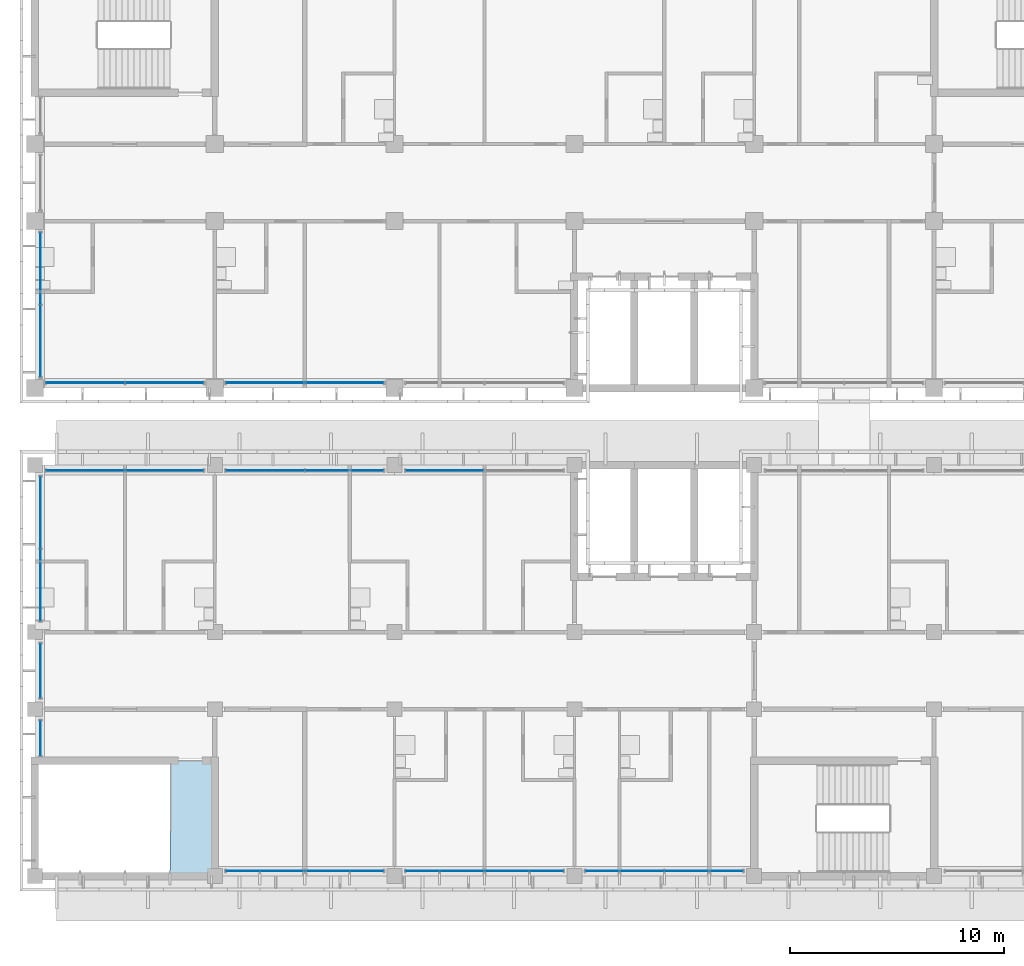
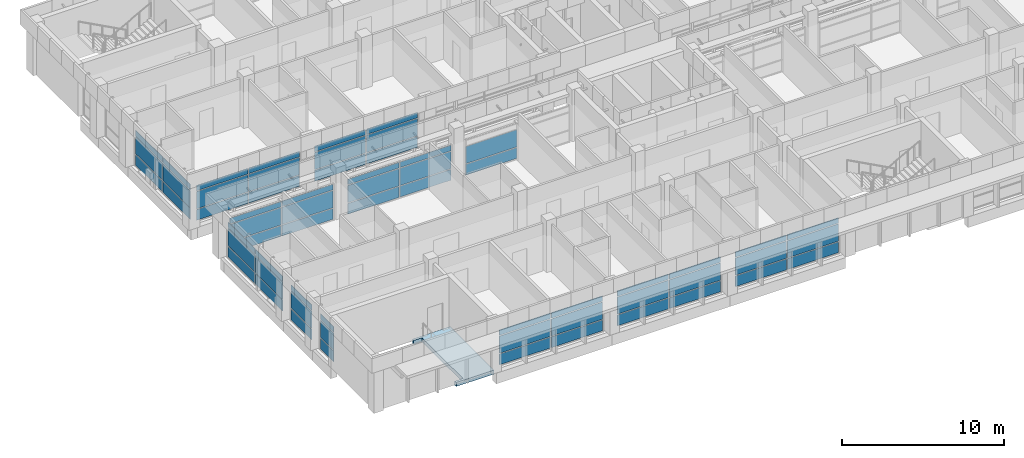
# One storey, part 20 of 71: 62 plates, 1 slab, 12 elements without a shape of their own.
"""IFC4 building model written with IfcOpenShell, lengths in metres."""

from ifc_helpers import new_model, si_unit, direction, frame, origin, origin_2d, place, context, subcontext, project, spatial, polyline, rectangle, outline, extrude, material, layer, layer_set, type_object, element, aggregate, save


model = new_model("IFC4")

# Units and contexts
model_context = context("Model", 3, precision=1e-05, world=origin(), true_north=direction((0.0, 1.0)))
body_context = subcontext(model_context, "Body", "Model", "MODEL_VIEW")
ifc_project = project(units=[si_unit("LENGTHUNIT", "METRE"), si_unit("AREAUNIT", "SQUARE_METRE"), si_unit("VOLUMEUNIT", "CUBIC_METRE"), si_unit("PLANEANGLEUNIT", "RADIAN"), si_unit("MASSUNIT", "GRAM", prefix="KILO")], contexts=[model_context])

# Site, building, storey
site_placement = place(None, origin())
site = spatial("IfcSite", under=ifc_project, at=site_placement, CompositionType="ELEMENT")
building_placement = place(site_placement, origin())
building = spatial("IfcBuilding", under=site, at=building_placement, Name="Bougainvillea Quay General Hospital", CompositionType="ELEMENT")
storey_placement = place(building_placement, frame((0.0, 0.0, 24.89990234375)))
storey = spatial("IfcBuildingStorey", under=building, at=storey_placement, Name="L05", CompositionType="ELEMENT", Elevation=24.89990234375)

# Curtain wall, plates
ifc_material_1 = material(Name="Aluminium curtain wall system, powder-coated glazed", Category="aluminium")
curtain_wall_type_1 = type_object("IfcCurtainWallType", Name="Unitised curtain wall CW-3430", PredefinedType="NOTDEFINED", material=ifc_material_1)
curtain_wall_1_placement = place(storey_placement, origin())
curtain_wall_1 = element("IfcCurtainWall", 1, at=curtain_wall_1_placement, inside=storey, type_object=curtain_wall_type_1, Name="CW-4200 02", PredefinedType="NOTDEFINED")
ifc_material_2 = material(Name="Insulated aluminium spandrel panel, white", Category="aluminium")
ifc_layer_1 = layer(ifc_material_2, 0.028076171875)
ifc_layer_set_1 = layer_set([ifc_layer_1], Name="Insulated aluminium spandrel panel, white")
plate_type_1 = type_object("IfcPlateType", Name="Insulated spandrel panel white 28", PredefinedType="CURTAIN_PANEL", material=ifc_layer_set_1)
plate_1_placement = place(storey_placement, frame((42.25, 146.0, 0.06005859375), z_axis=(0.0, 0.0, 1.0), x_axis=(0.0, -1.0, 0.0)))
plate_1 = element("IfcPlate", 2, at=plate_1_placement, type_object=plate_type_1, Name="CW-4200 spandrel panel 1.1", PredefinedType="CURTAIN_PANEL", context=body_context, shape_type="SweptSolid", body=[
    extrude(rectangle(XDim=3.340087890625, YDim=0.028076171875, at=origin_2d()), origin(), (0.0, 0.0, 1.0), 0.81005859375),
])
plate_2_placement = place(storey_placement, frame((42.25, 146.0, 2.2802734375), z_axis=(0.0, 0.0, 1.0), x_axis=(0.0, -1.0, 0.0)))
plate_2 = element("IfcPlate", 3, at=plate_2_placement, type_object=plate_type_1, Name="CW-4200 spandrel panel 1.3", PredefinedType="CURTAIN_PANEL", context=body_context, shape_type="SweptSolid", body=[
    extrude(rectangle(XDim=3.340087890625, YDim=0.028076171875, at=origin_2d()), origin(), (0.0, 0.0, 1.0), 0.409912109375),
])
plate_3_placement = place(storey_placement, frame((42.25, 142.60009765625, 0.06005859375), z_axis=(0.0, 0.0, 1.0), x_axis=(0.0, -1.0, 0.0)))
plate_3 = element("IfcPlate", 4, at=plate_3_placement, type_object=plate_type_1, Name="CW-4200 spandrel panel 2.1", PredefinedType="CURTAIN_PANEL", context=body_context, shape_type="SweptSolid", body=[
    extrude(rectangle(XDim=3.340087890625, YDim=0.028076171875, at=origin_2d()), origin(), (0.0, 0.0, 1.0), 0.81005859375),
])
plate_4_placement = place(storey_placement, frame((42.25, 142.60009765625, 2.2802734375), z_axis=(0.0, 0.0, 1.0), x_axis=(0.0, -1.0, 0.0)))
plate_4 = element("IfcPlate", 5, at=plate_4_placement, type_object=plate_type_1, Name="CW-4200 spandrel panel 2.3", PredefinedType="CURTAIN_PANEL", context=body_context, shape_type="SweptSolid", body=[
    extrude(rectangle(XDim=3.340087890625, YDim=0.028076171875, at=origin_2d()), origin(), (0.0, 0.0, 1.0), 0.409912109375),
])

curtain_wall_type_2 = type_object("IfcCurtainWallType", Name="Unitised curtain wall CW-3730", PredefinedType="NOTDEFINED", material=ifc_material_1)
curtain_wall_2_placement = place(storey_placement, origin())
curtain_wall_2 = element("IfcCurtainWall", 6, at=curtain_wall_2_placement, inside=storey, type_object=curtain_wall_type_2, Name="CW-4200 00", PredefinedType="NOTDEFINED")
plate_5_placement = place(storey_placement, frame((44.35009765625, 140.64990234375, 0.06005859375), z_axis=(0.0, 0.0, 1.0), x_axis=(1.0, 0.0, 0.0)))
plate_5 = element("IfcPlate", 7, at=plate_5_placement, type_object=plate_type_1, Name="CW-4200 spandrel panel 1.1", PredefinedType="CURTAIN_PANEL", context=body_context, shape_type="SweptSolid", body=[
    extrude(rectangle(XDim=3.639892578125, YDim=0.028076171875, at=origin_2d()), origin(), (0.0, 0.0, 1.0), 0.81005859375),
])
plate_6_placement = place(storey_placement, frame((44.35009765625, 140.64990234375, 2.2802734375), z_axis=(0.0, 0.0, 1.0), x_axis=(1.0, 0.0, 0.0)))
plate_6 = element("IfcPlate", 8, at=plate_6_placement, type_object=plate_type_1, Name="CW-4200 spandrel panel 1.3", PredefinedType="CURTAIN_PANEL", context=body_context, shape_type="SweptSolid", body=[
    extrude(rectangle(XDim=3.639892578125, YDim=0.028076171875, at=origin_2d()), origin(), (0.0, 0.0, 1.0), 0.409912109375),
])
plate_7_placement = place(storey_placement, frame((48.050048828125, 140.64990234375, 0.06005859375), z_axis=(0.0, 0.0, 1.0), x_axis=(1.0, 0.0, 0.0)))
plate_7 = element("IfcPlate", 9, at=plate_7_placement, type_object=plate_type_1, Name="CW-4200 spandrel panel 2.1", PredefinedType="CURTAIN_PANEL", context=body_context, shape_type="SweptSolid", body=[
    extrude(rectangle(XDim=3.639892578125, YDim=0.028076171875, at=origin_2d()), origin(), (0.0, 0.0, 1.0), 0.81005859375),
])
plate_8_placement = place(storey_placement, frame((48.050048828125, 140.64990234375, 2.2802734375), z_axis=(0.0, 0.0, 1.0), x_axis=(1.0, 0.0, 0.0)))
plate_8 = element("IfcPlate", 10, at=plate_8_placement, type_object=plate_type_1, Name="CW-4200 spandrel panel 2.3", PredefinedType="CURTAIN_PANEL", context=body_context, shape_type="SweptSolid", body=[
    extrude(rectangle(XDim=3.639892578125, YDim=0.028076171875, at=origin_2d()), origin(), (0.0, 0.0, 1.0), 0.409912109375),
])

curtain_wall_3_placement = place(storey_placement, origin())
curtain_wall_3 = element("IfcCurtainWall", 11, at=curtain_wall_3_placement, inside=storey, type_object=curtain_wall_type_2, Name="CW-4200 01", PredefinedType="NOTDEFINED")
plate_9_placement = place(storey_placement, frame((52.75, 140.64990234375, 0.06005859375), z_axis=(0.0, 0.0, 1.0), x_axis=(1.0, 0.0, 0.0)))
plate_9 = element("IfcPlate", 12, at=plate_9_placement, type_object=plate_type_1, Name="CW-4200 spandrel panel 1.1", PredefinedType="CURTAIN_PANEL", context=body_context, shape_type="SweptSolid", body=[
    extrude(rectangle(XDim=3.639892578125, YDim=0.028076171875, at=origin_2d()), origin(), (0.0, 0.0, 1.0), 0.81005859375),
])
plate_10_placement = place(storey_placement, frame((52.75, 140.64990234375, 2.2802734375), z_axis=(0.0, 0.0, 1.0), x_axis=(1.0, 0.0, 0.0)))
plate_10 = element("IfcPlate", 13, at=plate_10_placement, type_object=plate_type_1, Name="CW-4200 spandrel panel 1.3", PredefinedType="CURTAIN_PANEL", context=body_context, shape_type="SweptSolid", body=[
    extrude(rectangle(XDim=3.639892578125, YDim=0.028076171875, at=origin_2d()), origin(), (0.0, 0.0, 1.0), 0.409912109375),
])
plate_11_placement = place(storey_placement, frame((56.449951171875, 140.64990234375, 0.06005859375), z_axis=(0.0, 0.0, 1.0), x_axis=(1.0, 0.0, 0.0)))
plate_11 = element("IfcPlate", 14, at=plate_11_placement, type_object=plate_type_1, Name="CW-4200 spandrel panel 2.1", PredefinedType="CURTAIN_PANEL", context=body_context, shape_type="SweptSolid", body=[
    extrude(rectangle(XDim=3.639892578125, YDim=0.028076171875, at=origin_2d()), origin(), (0.0, 0.0, 1.0), 0.81005859375),
])
plate_12_placement = place(storey_placement, frame((56.449951171875, 140.64990234375, 2.2802734375), z_axis=(0.0, 0.0, 1.0), x_axis=(1.0, 0.0, 0.0)))
plate_12 = element("IfcPlate", 15, at=plate_12_placement, type_object=plate_type_1, Name="CW-4200 spandrel panel 2.3", PredefinedType="CURTAIN_PANEL", context=body_context, shape_type="SweptSolid", body=[
    extrude(rectangle(XDim=3.639892578125, YDim=0.028076171875, at=origin_2d()), origin(), (0.0, 0.0, 1.0), 0.409912109375),
])

curtain_wall_4_placement = place(storey_placement, origin())
curtain_wall_4 = element("IfcCurtainWall", 16, at=curtain_wall_4_placement, inside=storey, type_object=curtain_wall_type_1, Name="CW-4200 00", PredefinedType="NOTDEFINED")
plate_13_placement = place(storey_placement, frame((42.25, 134.60009765625, 0.06005859375), z_axis=(0.0, 0.0, 1.0), x_axis=(0.0, -1.0, 0.0)))
plate_13 = element("IfcPlate", 17, at=plate_13_placement, type_object=plate_type_1, Name="CW-4200 spandrel panel 1.1", PredefinedType="CURTAIN_PANEL", context=body_context, shape_type="SweptSolid", body=[
    extrude(rectangle(XDim=3.340087890625, YDim=0.028076171875, at=origin_2d()), origin(), (0.0, 0.0, 1.0), 0.81005859375),
])
plate_14_placement = place(storey_placement, frame((42.25, 134.60009765625, 2.2802734375), z_axis=(0.0, 0.0, 1.0), x_axis=(0.0, -1.0, 0.0)))
plate_14 = element("IfcPlate", 18, at=plate_14_placement, type_object=plate_type_1, Name="CW-4200 spandrel panel 1.3", PredefinedType="CURTAIN_PANEL", context=body_context, shape_type="SweptSolid", body=[
    extrude(rectangle(XDim=3.340087890625, YDim=0.028076171875, at=origin_2d()), origin(), (0.0, 0.0, 1.0), 0.409912109375),
])
plate_15_placement = place(storey_placement, frame((42.25, 131.199951171875, 0.06005859375), z_axis=(0.0, 0.0, 1.0), x_axis=(0.0, -1.0, 0.0)))
plate_15 = element("IfcPlate", 19, at=plate_15_placement, type_object=plate_type_1, Name="CW-4200 spandrel panel 2.1", PredefinedType="CURTAIN_PANEL", context=body_context, shape_type="SweptSolid", body=[
    extrude(rectangle(XDim=3.340087890625, YDim=0.028076171875, at=origin_2d()), origin(), (0.0, 0.0, 1.0), 0.81005859375),
])
plate_16_placement = place(storey_placement, frame((42.25, 131.199951171875, 2.2802734375), z_axis=(0.0, 0.0, 1.0), x_axis=(0.0, -1.0, 0.0)))
plate_16 = element("IfcPlate", 20, at=plate_16_placement, type_object=plate_type_1, Name="CW-4200 spandrel panel 2.3", PredefinedType="CURTAIN_PANEL", context=body_context, shape_type="SweptSolid", body=[
    extrude(rectangle(XDim=3.340087890625, YDim=0.028076171875, at=origin_2d()), origin(), (0.0, 0.0, 1.0), 0.409912109375),
])

curtain_wall_type_3 = type_object("IfcCurtainWallType", Name="Unitised curtain wall CW-2660", PredefinedType="NOTDEFINED", material=ifc_material_1)
curtain_wall_5_placement = place(storey_placement, origin())
curtain_wall_5 = element("IfcCurtainWall", 21, at=curtain_wall_5_placement, inside=storey, type_object=curtain_wall_type_3, Name="CW-4200 01", PredefinedType="NOTDEFINED")
plate_17_placement = place(storey_placement, frame((42.25, 127.199951171875, 0.06005859375), z_axis=(0.0, 0.0, 1.0), x_axis=(0.0, -1.0, 0.0)))
plate_17 = element("IfcPlate", 22, at=plate_17_placement, type_object=plate_type_1, Name="CW-4200 spandrel panel 1.1", PredefinedType="CURTAIN_PANEL", context=body_context, shape_type="SweptSolid", body=[
    extrude(rectangle(XDim=2.5400390625, YDim=0.028076171875, at=origin_2d()), origin(), (0.0, 0.0, 1.0), 0.81005859375),
])
plate_18_placement = place(storey_placement, frame((42.25, 127.199951171875, 2.2802734375), z_axis=(0.0, 0.0, 1.0), x_axis=(0.0, -1.0, 0.0)))
plate_18 = element("IfcPlate", 23, at=plate_18_placement, type_object=plate_type_1, Name="CW-4200 spandrel panel 1.3", PredefinedType="CURTAIN_PANEL", context=body_context, shape_type="SweptSolid", body=[
    extrude(rectangle(XDim=2.5400390625, YDim=0.028076171875, at=origin_2d()), origin(), (0.0, 0.0, 1.0), 0.409912109375),
])

curtain_wall_type_4 = type_object("IfcCurtainWallType", Name="Unitised curtain wall CW-1755", PredefinedType="NOTDEFINED", material=ifc_material_1)
curtain_wall_6_placement = place(storey_placement, origin())
curtain_wall_6 = element("IfcCurtainWall", 24, at=curtain_wall_6_placement, inside=storey, type_object=curtain_wall_type_4, Name="CW-4200 02", PredefinedType="NOTDEFINED")
plate_19_placement = place(storey_placement, frame((42.25, 124.052490234375, 0.06005859375), z_axis=(0.0, 0.0, 1.0), x_axis=(0.0, -1.0, 0.0)))
plate_19 = element("IfcPlate", 25, at=plate_19_placement, type_object=plate_type_1, Name="CW-4200 spandrel panel 1.1", PredefinedType="CURTAIN_PANEL", context=body_context, shape_type="SweptSolid", body=[
    extrude(rectangle(XDim=1.635009765625, YDim=0.028076171875, at=origin_2d()), origin(), (0.0, 0.0, 1.0), 0.81005859375),
])
plate_20_placement = place(storey_placement, frame((42.25, 124.052490234375, 2.2802734375), z_axis=(0.0, 0.0, 1.0), x_axis=(0.0, -1.0, 0.0)))
plate_20 = element("IfcPlate", 26, at=plate_20_placement, type_object=plate_type_1, Name="CW-4200 spandrel panel 1.3", PredefinedType="CURTAIN_PANEL", context=body_context, shape_type="SweptSolid", body=[
    extrude(rectangle(XDim=1.635009765625, YDim=0.028076171875, at=origin_2d()), origin(), (0.0, 0.0, 1.0), 0.409912109375),
])

curtain_wall_7_placement = place(storey_placement, origin())
curtain_wall_7 = element("IfcCurtainWall", 27, at=curtain_wall_7_placement, inside=storey, type_object=curtain_wall_type_2, Name="CW-4200 00", PredefinedType="NOTDEFINED")
plate_21_placement = place(storey_placement, frame((52.75, 117.85009765625, 0.06005859375), z_axis=(0.0, 0.0, 1.0), x_axis=(1.0, 0.0, 0.0)))
plate_21 = element("IfcPlate", 28, at=plate_21_placement, type_object=plate_type_1, Name="CW-4200 spandrel panel 1.1", PredefinedType="CURTAIN_PANEL", context=body_context, shape_type="SweptSolid", body=[
    extrude(rectangle(XDim=3.639892578125, YDim=0.028076171875, at=origin_2d()), origin(), (0.0, 0.0, 1.0), 0.81005859375),
])
plate_22_placement = place(storey_placement, frame((52.75, 117.85009765625, 2.2802734375), z_axis=(0.0, 0.0, 1.0), x_axis=(1.0, 0.0, 0.0)))
plate_22 = element("IfcPlate", 29, at=plate_22_placement, type_object=plate_type_1, Name="CW-4200 spandrel panel 1.3", PredefinedType="CURTAIN_PANEL", context=body_context, shape_type="SweptSolid", body=[
    extrude(rectangle(XDim=3.639892578125, YDim=0.028076171875, at=origin_2d()), origin(), (0.0, 0.0, 1.0), 0.409912109375),
])
plate_23_placement = place(storey_placement, frame((56.449951171875, 117.85009765625, 0.06005859375), z_axis=(0.0, 0.0, 1.0), x_axis=(1.0, 0.0, 0.0)))
plate_23 = element("IfcPlate", 30, at=plate_23_placement, type_object=plate_type_1, Name="CW-4200 spandrel panel 2.1", PredefinedType="CURTAIN_PANEL", context=body_context, shape_type="SweptSolid", body=[
    extrude(rectangle(XDim=3.639892578125, YDim=0.028076171875, at=origin_2d()), origin(), (0.0, 0.0, 1.0), 0.81005859375),
])
plate_24_placement = place(storey_placement, frame((56.449951171875, 117.85009765625, 2.2802734375), z_axis=(0.0, 0.0, 1.0), x_axis=(1.0, 0.0, 0.0)))
plate_24 = element("IfcPlate", 31, at=plate_24_placement, type_object=plate_type_1, Name="CW-4200 spandrel panel 2.3", PredefinedType="CURTAIN_PANEL", context=body_context, shape_type="SweptSolid", body=[
    extrude(rectangle(XDim=3.639892578125, YDim=0.028076171875, at=origin_2d()), origin(), (0.0, 0.0, 1.0), 0.409912109375),
])

curtain_wall_8_placement = place(storey_placement, origin())
curtain_wall_8 = element("IfcCurtainWall", 32, at=curtain_wall_8_placement, inside=storey, type_object=curtain_wall_type_2, Name="CW-4200 01", PredefinedType="NOTDEFINED")
plate_25_placement = place(storey_placement, frame((61.14990234375, 117.85009765625, 0.06005859375), z_axis=(0.0, 0.0, 1.0), x_axis=(1.0, 0.0, 0.0)))
plate_25 = element("IfcPlate", 33, at=plate_25_placement, type_object=plate_type_1, Name="CW-4200 spandrel panel 1.1", PredefinedType="CURTAIN_PANEL", context=body_context, shape_type="SweptSolid", body=[
    extrude(rectangle(XDim=3.639892578125, YDim=0.028076171875, at=origin_2d()), origin(), (0.0, 0.0, 1.0), 0.81005859375),
])
plate_26_placement = place(storey_placement, frame((61.14990234375, 117.85009765625, 2.2802734375), z_axis=(0.0, 0.0, 1.0), x_axis=(1.0, 0.0, 0.0)))
plate_26 = element("IfcPlate", 34, at=plate_26_placement, type_object=plate_type_1, Name="CW-4200 spandrel panel 1.3", PredefinedType="CURTAIN_PANEL", context=body_context, shape_type="SweptSolid", body=[
    extrude(rectangle(XDim=3.639892578125, YDim=0.028076171875, at=origin_2d()), origin(), (0.0, 0.0, 1.0), 0.409912109375),
])
plate_27_placement = place(storey_placement, frame((64.85009765625, 117.85009765625, 0.06005859375), z_axis=(0.0, 0.0, 1.0), x_axis=(1.0, 0.0, 0.0)))
plate_27 = element("IfcPlate", 35, at=plate_27_placement, type_object=plate_type_1, Name="CW-4200 spandrel panel 2.1", PredefinedType="CURTAIN_PANEL", context=body_context, shape_type="SweptSolid", body=[
    extrude(rectangle(XDim=3.639892578125, YDim=0.028076171875, at=origin_2d()), origin(), (0.0, 0.0, 1.0), 0.81005859375),
])
plate_28_placement = place(storey_placement, frame((64.85009765625, 117.85009765625, 2.2802734375), z_axis=(0.0, 0.0, 1.0), x_axis=(1.0, 0.0, 0.0)))
plate_28 = element("IfcPlate", 36, at=plate_28_placement, type_object=plate_type_1, Name="CW-4200 spandrel panel 2.3", PredefinedType="CURTAIN_PANEL", context=body_context, shape_type="SweptSolid", body=[
    extrude(rectangle(XDim=3.639892578125, YDim=0.028076171875, at=origin_2d()), origin(), (0.0, 0.0, 1.0), 0.409912109375),
])

curtain_wall_9_placement = place(storey_placement, origin())
curtain_wall_9 = element("IfcCurtainWall", 37, at=curtain_wall_9_placement, inside=storey, type_object=curtain_wall_type_2, Name="CW-4200 02", PredefinedType="NOTDEFINED")
plate_29_placement = place(storey_placement, frame((69.550048828125, 117.85009765625, 0.06005859375), z_axis=(0.0, 0.0, 1.0), x_axis=(1.0, 0.0, 0.0)))
plate_29 = element("IfcPlate", 38, at=plate_29_placement, type_object=plate_type_1, Name="CW-4200 spandrel panel 1.1", PredefinedType="CURTAIN_PANEL", context=body_context, shape_type="SweptSolid", body=[
    extrude(rectangle(XDim=3.639892578125, YDim=0.028076171875, at=origin_2d()), origin(), (0.0, 0.0, 1.0), 0.81005859375),
])
plate_30_placement = place(storey_placement, frame((69.550048828125, 117.85009765625, 2.2802734375), z_axis=(0.0, 0.0, 1.0), x_axis=(1.0, 0.0, 0.0)))
plate_30 = element("IfcPlate", 39, at=plate_30_placement, type_object=plate_type_1, Name="CW-4200 spandrel panel 1.3", PredefinedType="CURTAIN_PANEL", context=body_context, shape_type="SweptSolid", body=[
    extrude(rectangle(XDim=3.639892578125, YDim=0.028076171875, at=origin_2d()), origin(), (0.0, 0.0, 1.0), 0.409912109375),
])
plate_31_placement = place(storey_placement, frame((73.25, 117.85009765625, 0.06005859375), z_axis=(0.0, 0.0, 1.0), x_axis=(1.0, 0.0, 0.0)))
plate_31 = element("IfcPlate", 40, at=plate_31_placement, type_object=plate_type_1, Name="CW-4200 spandrel panel 2.1", PredefinedType="CURTAIN_PANEL", context=body_context, shape_type="SweptSolid", body=[
    extrude(rectangle(XDim=3.639892578125, YDim=0.028076171875, at=origin_2d()), origin(), (0.0, 0.0, 1.0), 0.81005859375),
])
plate_32_placement = place(storey_placement, frame((73.25, 117.85009765625, 2.2802734375), z_axis=(0.0, 0.0, 1.0), x_axis=(1.0, 0.0, 0.0)))
plate_32 = element("IfcPlate", 41, at=plate_32_placement, type_object=plate_type_1, Name="CW-4200 spandrel panel 2.3", PredefinedType="CURTAIN_PANEL", context=body_context, shape_type="SweptSolid", body=[
    extrude(rectangle(XDim=3.639892578125, YDim=0.028076171875, at=origin_2d()), origin(), (0.0, 0.0, 1.0), 0.409912109375),
])

# Curtain wall, plate
curtain_wall_10_placement = place(storey_placement, origin())
curtain_wall_10 = element("IfcCurtainWall", 42, at=curtain_wall_10_placement, inside=storey, type_object=curtain_wall_type_2, Name="CW-4200 00", PredefinedType="NOTDEFINED")
plate_33_placement = place(storey_placement, frame((61.14990234375, 136.550048828125, 0.06005859375), z_axis=(0.0, 0.0, 1.0), x_axis=(-1.0, 0.0, 0.0)))
plate_33 = element("IfcPlate", 43, at=plate_33_placement, type_object=plate_type_1, Name="CW-4200 spandrel panel 2.1", PredefinedType="CURTAIN_PANEL", context=body_context, shape_type="SweptSolid", body=[
    extrude(rectangle(XDim=3.639892578125, YDim=0.028076171875, at=origin_2d()), origin(), (0.0, 0.0, 1.0), 0.81005859375),
])

# Curtain wall, plates
curtain_wall_11_placement = place(storey_placement, origin())
curtain_wall_11 = element("IfcCurtainWall", 44, at=curtain_wall_11_placement, inside=storey, type_object=curtain_wall_type_2, Name="CW-4200 01", PredefinedType="NOTDEFINED")
plate_34_placement = place(storey_placement, frame((56.449951171875, 136.550048828125, 0.06005859375), z_axis=(0.0, 0.0, 1.0), x_axis=(-1.0, 0.0, 0.0)))
plate_34 = element("IfcPlate", 45, at=plate_34_placement, type_object=plate_type_1, Name="CW-4200 spandrel panel 1.1", PredefinedType="CURTAIN_PANEL", context=body_context, shape_type="SweptSolid", body=[
    extrude(rectangle(XDim=3.639892578125, YDim=0.028076171875, at=origin_2d()), origin(), (0.0, 0.0, 1.0), 0.81005859375),
])
plate_35_placement = place(storey_placement, frame((56.449951171875, 136.550048828125, 2.2802734375), z_axis=(0.0, 0.0, 1.0), x_axis=(-1.0, 0.0, 0.0)))
plate_35 = element("IfcPlate", 46, at=plate_35_placement, type_object=plate_type_1, Name="CW-4200 spandrel panel 1.3", PredefinedType="CURTAIN_PANEL", context=body_context, shape_type="SweptSolid", body=[
    extrude(rectangle(XDim=3.639892578125, YDim=0.028076171875, at=origin_2d()), origin(), (0.0, 0.0, 1.0), 0.409912109375),
])
plate_36_placement = place(storey_placement, frame((52.75, 136.550048828125, 0.06005859375), z_axis=(0.0, 0.0, 1.0), x_axis=(-1.0, 0.0, 0.0)))
plate_36 = element("IfcPlate", 47, at=plate_36_placement, type_object=plate_type_1, Name="CW-4200 spandrel panel 2.1", PredefinedType="CURTAIN_PANEL", context=body_context, shape_type="SweptSolid", body=[
    extrude(rectangle(XDim=3.639892578125, YDim=0.028076171875, at=origin_2d()), origin(), (0.0, 0.0, 1.0), 0.81005859375),
])
plate_37_placement = place(storey_placement, frame((52.75, 136.550048828125, 2.2802734375), z_axis=(0.0, 0.0, 1.0), x_axis=(-1.0, 0.0, 0.0)))
plate_37 = element("IfcPlate", 48, at=plate_37_placement, type_object=plate_type_1, Name="CW-4200 spandrel panel 2.3", PredefinedType="CURTAIN_PANEL", context=body_context, shape_type="SweptSolid", body=[
    extrude(rectangle(XDim=3.639892578125, YDim=0.028076171875, at=origin_2d()), origin(), (0.0, 0.0, 1.0), 0.409912109375),
])

curtain_wall_12_placement = place(storey_placement, origin())
curtain_wall_12 = element("IfcCurtainWall", 49, at=curtain_wall_12_placement, inside=storey, type_object=curtain_wall_type_2, Name="CW-4200 02", PredefinedType="NOTDEFINED")
plate_38_placement = place(storey_placement, frame((48.050048828125, 136.550048828125, 0.06005859375), z_axis=(0.0, 0.0, 1.0), x_axis=(-1.0, 0.0, 0.0)))
plate_38 = element("IfcPlate", 50, at=plate_38_placement, type_object=plate_type_1, Name="CW-4200 spandrel panel 1.1", PredefinedType="CURTAIN_PANEL", context=body_context, shape_type="SweptSolid", body=[
    extrude(rectangle(XDim=3.639892578125, YDim=0.028076171875, at=origin_2d()), origin(), (0.0, 0.0, 1.0), 0.81005859375),
])
plate_39_placement = place(storey_placement, frame((48.050048828125, 136.550048828125, 2.2802734375), z_axis=(0.0, 0.0, 1.0), x_axis=(-1.0, 0.0, 0.0)))
plate_39 = element("IfcPlate", 51, at=plate_39_placement, type_object=plate_type_1, Name="CW-4200 spandrel panel 1.3", PredefinedType="CURTAIN_PANEL", context=body_context, shape_type="SweptSolid", body=[
    extrude(rectangle(XDim=3.639892578125, YDim=0.028076171875, at=origin_2d()), origin(), (0.0, 0.0, 1.0), 0.409912109375),
])
plate_40_placement = place(storey_placement, frame((44.35009765625, 136.550048828125, 0.06005859375), z_axis=(0.0, 0.0, 1.0), x_axis=(-1.0, 0.0, 0.0)))
plate_40 = element("IfcPlate", 52, at=plate_40_placement, type_object=plate_type_1, Name="CW-4200 spandrel panel 2.1", PredefinedType="CURTAIN_PANEL", context=body_context, shape_type="SweptSolid", body=[
    extrude(rectangle(XDim=3.639892578125, YDim=0.028076171875, at=origin_2d()), origin(), (0.0, 0.0, 1.0), 0.81005859375),
])
plate_41_placement = place(storey_placement, frame((44.35009765625, 136.550048828125, 2.2802734375), z_axis=(0.0, 0.0, 1.0), x_axis=(-1.0, 0.0, 0.0)))
plate_41 = element("IfcPlate", 53, at=plate_41_placement, type_object=plate_type_1, Name="CW-4200 spandrel panel 2.3", PredefinedType="CURTAIN_PANEL", context=body_context, shape_type="SweptSolid", body=[
    extrude(rectangle(XDim=3.639892578125, YDim=0.028076171875, at=origin_2d()), origin(), (0.0, 0.0, 1.0), 0.409912109375),
])

# Plate
ifc_material_3 = material(Name="Low-e laminated glass, solar control", Category="glass")
ifc_layer_2 = layer(ifc_material_3, 0.028076171875)
ifc_layer_set_2 = layer_set([ifc_layer_2], Name="Low-e laminated glass, solar control")
plate_type_2 = type_object("IfcPlateType", Name="Low-e laminated vision glass 28", PredefinedType="CURTAIN_PANEL", material=ifc_layer_set_2)
plate_42_placement = place(storey_placement, frame((42.25, 146.0, 0.93017578125), z_axis=(0.0, 0.0, 1.0), x_axis=(0.0, -1.0, 0.0)))
plate_42 = element("IfcPlate", 54, at=plate_42_placement, type_object=plate_type_2, Name="CW-4200 vision glass panel 1.2", PredefinedType="CURTAIN_PANEL", context=body_context, shape_type="SweptSolid", body=[
    extrude(rectangle(XDim=3.340087890625, YDim=0.028076171875, at=origin_2d()), origin(), (0.0, 0.0, 1.0), 1.2900390625),
])

plate_43_placement = place(storey_placement, frame((42.25, 142.60009765625, 0.93017578125), z_axis=(0.0, 0.0, 1.0), x_axis=(0.0, -1.0, 0.0)))
plate_43 = element("IfcPlate", 55, at=plate_43_placement, type_object=plate_type_2, Name="CW-4200 vision glass panel 2.2", PredefinedType="CURTAIN_PANEL", context=body_context, shape_type="SweptSolid", body=[
    extrude(rectangle(XDim=3.340087890625, YDim=0.028076171875, at=origin_2d()), origin(), (0.0, 0.0, 1.0), 1.2900390625),
])

aggregate(curtain_wall_1, [plate_1, plate_42, plate_2, plate_3, plate_43, plate_4])

plate_44_placement = place(storey_placement, frame((44.35009765625, 140.64990234375, 0.93017578125), z_axis=(0.0, 0.0, 1.0), x_axis=(1.0, 0.0, 0.0)))
plate_44 = element("IfcPlate", 56, at=plate_44_placement, type_object=plate_type_2, Name="CW-4200 vision glass panel 1.2", PredefinedType="CURTAIN_PANEL", context=body_context, shape_type="SweptSolid", body=[
    extrude(rectangle(XDim=3.639892578125, YDim=0.028076171875, at=origin_2d()), origin(), (0.0, 0.0, 1.0), 1.2900390625),
])

plate_45_placement = place(storey_placement, frame((48.050048828125, 140.64990234375, 0.93017578125), z_axis=(0.0, 0.0, 1.0), x_axis=(1.0, 0.0, 0.0)))
plate_45 = element("IfcPlate", 57, at=plate_45_placement, type_object=plate_type_2, Name="CW-4200 vision glass panel 2.2", PredefinedType="CURTAIN_PANEL", context=body_context, shape_type="SweptSolid", body=[
    extrude(rectangle(XDim=3.639892578125, YDim=0.028076171875, at=origin_2d()), origin(), (0.0, 0.0, 1.0), 1.2900390625),
])

aggregate(curtain_wall_2, [plate_5, plate_44, plate_6, plate_7, plate_45, plate_8])

plate_46_placement = place(storey_placement, frame((52.75, 140.64990234375, 0.93017578125), z_axis=(0.0, 0.0, 1.0), x_axis=(1.0, 0.0, 0.0)))
plate_46 = element("IfcPlate", 58, at=plate_46_placement, type_object=plate_type_2, Name="CW-4200 vision glass panel 1.2", PredefinedType="CURTAIN_PANEL", context=body_context, shape_type="SweptSolid", body=[
    extrude(rectangle(XDim=3.639892578125, YDim=0.028076171875, at=origin_2d()), origin(), (0.0, 0.0, 1.0), 1.2900390625),
])

plate_47_placement = place(storey_placement, frame((56.449951171875, 140.64990234375, 0.93017578125), z_axis=(0.0, 0.0, 1.0), x_axis=(1.0, 0.0, 0.0)))
plate_47 = element("IfcPlate", 59, at=plate_47_placement, type_object=plate_type_2, Name="CW-4200 vision glass panel 2.2", PredefinedType="CURTAIN_PANEL", context=body_context, shape_type="SweptSolid", body=[
    extrude(rectangle(XDim=3.639892578125, YDim=0.028076171875, at=origin_2d()), origin(), (0.0, 0.0, 1.0), 1.2900390625),
])

aggregate(curtain_wall_3, [plate_9, plate_46, plate_10, plate_11, plate_47, plate_12])

plate_48_placement = place(storey_placement, frame((42.25, 134.60009765625, 0.93017578125), z_axis=(0.0, 0.0, 1.0), x_axis=(0.0, -1.0, 0.0)))
plate_48 = element("IfcPlate", 60, at=plate_48_placement, type_object=plate_type_2, Name="CW-4200 vision glass panel 1.2", PredefinedType="CURTAIN_PANEL", context=body_context, shape_type="SweptSolid", body=[
    extrude(rectangle(XDim=3.340087890625, YDim=0.028076171875, at=origin_2d()), origin(), (0.0, 0.0, 1.0), 1.2900390625),
])

plate_49_placement = place(storey_placement, frame((42.25, 131.199951171875, 0.93017578125), z_axis=(0.0, 0.0, 1.0), x_axis=(0.0, -1.0, 0.0)))
plate_49 = element("IfcPlate", 61, at=plate_49_placement, type_object=plate_type_2, Name="CW-4200 vision glass panel 2.2", PredefinedType="CURTAIN_PANEL", context=body_context, shape_type="SweptSolid", body=[
    extrude(rectangle(XDim=3.340087890625, YDim=0.028076171875, at=origin_2d()), origin(), (0.0, 0.0, 1.0), 1.2900390625),
])

aggregate(curtain_wall_4, [plate_13, plate_48, plate_14, plate_15, plate_49, plate_16])

plate_50_placement = place(storey_placement, frame((42.25, 127.199951171875, 0.93017578125), z_axis=(0.0, 0.0, 1.0), x_axis=(0.0, -1.0, 0.0)))
plate_50 = element("IfcPlate", 62, at=plate_50_placement, type_object=plate_type_2, Name="CW-4200 vision glass panel 1.2", PredefinedType="CURTAIN_PANEL", context=body_context, shape_type="SweptSolid", body=[
    extrude(rectangle(XDim=2.5400390625, YDim=0.028076171875, at=origin_2d()), origin(), (0.0, 0.0, 1.0), 1.2900390625),
])

aggregate(curtain_wall_5, [plate_17, plate_50, plate_18])

plate_51_placement = place(storey_placement, frame((42.25, 124.052490234375, 0.93017578125), z_axis=(0.0, 0.0, 1.0), x_axis=(0.0, -1.0, 0.0)))
plate_51 = element("IfcPlate", 63, at=plate_51_placement, type_object=plate_type_2, Name="CW-4200 vision glass panel 1.2", PredefinedType="CURTAIN_PANEL", context=body_context, shape_type="SweptSolid", body=[
    extrude(rectangle(XDim=1.635009765625, YDim=0.028076171875, at=origin_2d()), origin(), (0.0, 0.0, 1.0), 1.2900390625),
])

aggregate(curtain_wall_6, [plate_19, plate_51, plate_20])

plate_52_placement = place(storey_placement, frame((52.75, 117.85009765625, 0.93017578125), z_axis=(0.0, 0.0, 1.0), x_axis=(1.0, 0.0, 0.0)))
plate_52 = element("IfcPlate", 64, at=plate_52_placement, type_object=plate_type_2, Name="CW-4200 vision glass panel 1.2", PredefinedType="CURTAIN_PANEL", context=body_context, shape_type="SweptSolid", body=[
    extrude(rectangle(XDim=3.639892578125, YDim=0.028076171875, at=origin_2d()), origin(), (0.0, 0.0, 1.0), 1.2900390625),
])

plate_53_placement = place(storey_placement, frame((56.449951171875, 117.85009765625, 0.93017578125), z_axis=(0.0, 0.0, 1.0), x_axis=(1.0, 0.0, 0.0)))
plate_53 = element("IfcPlate", 65, at=plate_53_placement, type_object=plate_type_2, Name="CW-4200 vision glass panel 2.2", PredefinedType="CURTAIN_PANEL", context=body_context, shape_type="SweptSolid", body=[
    extrude(rectangle(XDim=3.639892578125, YDim=0.028076171875, at=origin_2d()), origin(), (0.0, 0.0, 1.0), 1.2900390625),
])

aggregate(curtain_wall_7, [plate_21, plate_52, plate_22, plate_23, plate_53, plate_24])

plate_54_placement = place(storey_placement, frame((61.14990234375, 117.85009765625, 0.93017578125), z_axis=(0.0, 0.0, 1.0), x_axis=(1.0, 0.0, 0.0)))
plate_54 = element("IfcPlate", 66, at=plate_54_placement, type_object=plate_type_2, Name="CW-4200 vision glass panel 1.2", PredefinedType="CURTAIN_PANEL", context=body_context, shape_type="SweptSolid", body=[
    extrude(rectangle(XDim=3.639892578125, YDim=0.028076171875, at=origin_2d()), origin(), (0.0, 0.0, 1.0), 1.2900390625),
])

plate_55_placement = place(storey_placement, frame((64.85009765625, 117.85009765625, 0.93017578125), z_axis=(0.0, 0.0, 1.0), x_axis=(1.0, 0.0, 0.0)))
plate_55 = element("IfcPlate", 67, at=plate_55_placement, type_object=plate_type_2, Name="CW-4200 vision glass panel 2.2", PredefinedType="CURTAIN_PANEL", context=body_context, shape_type="SweptSolid", body=[
    extrude(rectangle(XDim=3.639892578125, YDim=0.028076171875, at=origin_2d()), origin(), (0.0, 0.0, 1.0), 1.2900390625),
])

aggregate(curtain_wall_8, [plate_25, plate_54, plate_26, plate_27, plate_55, plate_28])

plate_56_placement = place(storey_placement, frame((69.550048828125, 117.85009765625, 0.93017578125), z_axis=(0.0, 0.0, 1.0), x_axis=(1.0, 0.0, 0.0)))
plate_56 = element("IfcPlate", 68, at=plate_56_placement, type_object=plate_type_2, Name="CW-4200 vision glass panel 1.2", PredefinedType="CURTAIN_PANEL", context=body_context, shape_type="SweptSolid", body=[
    extrude(rectangle(XDim=3.639892578125, YDim=0.028076171875, at=origin_2d()), origin(), (0.0, 0.0, 1.0), 1.2900390625),
])

plate_57_placement = place(storey_placement, frame((73.25, 117.85009765625, 0.93017578125), z_axis=(0.0, 0.0, 1.0), x_axis=(1.0, 0.0, 0.0)))
plate_57 = element("IfcPlate", 69, at=plate_57_placement, type_object=plate_type_2, Name="CW-4200 vision glass panel 2.2", PredefinedType="CURTAIN_PANEL", context=body_context, shape_type="SweptSolid", body=[
    extrude(rectangle(XDim=3.639892578125, YDim=0.028076171875, at=origin_2d()), origin(), (0.0, 0.0, 1.0), 1.2900390625),
])

aggregate(curtain_wall_9, [plate_29, plate_56, plate_30, plate_31, plate_57, plate_32])

plate_58_placement = place(storey_placement, frame((61.14990234375, 136.550048828125, 0.93017578125), z_axis=(0.0, 0.0, 1.0), x_axis=(-1.0, 0.0, 0.0)))
plate_58 = element("IfcPlate", 70, at=plate_58_placement, type_object=plate_type_2, Name="CW-4200 vision glass panel 2.2", PredefinedType="CURTAIN_PANEL", context=body_context, shape_type="SweptSolid", body=[
    extrude(rectangle(XDim=3.639892578125, YDim=0.028076171875, at=origin_2d()), origin(), (0.0, 0.0, 1.0), 1.2900390625),
])

aggregate(curtain_wall_10, [plate_33, plate_58])

plate_59_placement = place(storey_placement, frame((56.449951171875, 136.550048828125, 0.93017578125), z_axis=(0.0, 0.0, 1.0), x_axis=(-1.0, 0.0, 0.0)))
plate_59 = element("IfcPlate", 71, at=plate_59_placement, type_object=plate_type_2, Name="CW-4200 vision glass panel 1.2", PredefinedType="CURTAIN_PANEL", context=body_context, shape_type="SweptSolid", body=[
    extrude(rectangle(XDim=3.639892578125, YDim=0.028076171875, at=origin_2d()), origin(), (0.0, 0.0, 1.0), 1.2900390625),
])

plate_60_placement = place(storey_placement, frame((52.75, 136.550048828125, 0.93017578125), z_axis=(0.0, 0.0, 1.0), x_axis=(-1.0, 0.0, 0.0)))
plate_60 = element("IfcPlate", 72, at=plate_60_placement, type_object=plate_type_2, Name="CW-4200 vision glass panel 2.2", PredefinedType="CURTAIN_PANEL", context=body_context, shape_type="SweptSolid", body=[
    extrude(rectangle(XDim=3.639892578125, YDim=0.028076171875, at=origin_2d()), origin(), (0.0, 0.0, 1.0), 1.2900390625),
])

aggregate(curtain_wall_11, [plate_34, plate_59, plate_35, plate_36, plate_60, plate_37])

plate_61_placement = place(storey_placement, frame((48.050048828125, 136.550048828125, 0.93017578125), z_axis=(0.0, 0.0, 1.0), x_axis=(-1.0, 0.0, 0.0)))
plate_61 = element("IfcPlate", 73, at=plate_61_placement, type_object=plate_type_2, Name="CW-4200 vision glass panel 1.2", PredefinedType="CURTAIN_PANEL", context=body_context, shape_type="SweptSolid", body=[
    extrude(rectangle(XDim=3.639892578125, YDim=0.028076171875, at=origin_2d()), origin(), (0.0, 0.0, 1.0), 1.2900390625),
])

plate_62_placement = place(storey_placement, frame((44.35009765625, 136.550048828125, 0.93017578125), z_axis=(0.0, 0.0, 1.0), x_axis=(-1.0, 0.0, 0.0)))
plate_62 = element("IfcPlate", 74, at=plate_62_placement, type_object=plate_type_2, Name="CW-4200 vision glass panel 2.2", PredefinedType="CURTAIN_PANEL", context=body_context, shape_type="SweptSolid", body=[
    extrude(rectangle(XDim=3.639892578125, YDim=0.028076171875, at=origin_2d()), origin(), (0.0, 0.0, 1.0), 1.2900390625),
])

aggregate(curtain_wall_12, [plate_38, plate_61, plate_39, plate_40, plate_62, plate_41])

# Slab
ifc_material_4 = material(Name="Concrete C35", Category="concrete")
ifc_layer_3 = layer(ifc_material_4, 0.300048828125)
ifc_layer_set_3 = layer_set([ifc_layer_3], Name="Concrete C35")
slab_type = type_object("IfcSlabType", Name="RC FLAT SLAB 300 C35", PredefinedType="FLOOR", material=ifc_layer_set_3)
slab_placement = place(storey_placement, frame((0.0, 0.0, -0.2998046875)))
element("IfcSlab", 75, at=slab_placement, inside=storey, type_object=slab_type, Name="Stair landing floor ST-B1 L05", PredefinedType="FLOOR", context=body_context, shape_type="SweptSolid", body=[
    extrude(outline(polyline([(47.702880859375, 122.8837890625), (47.71142578125, 122.942138671875), (47.725830078125, 122.99951171875), (50.39990234375, 123.0), (50.39990234375, 117.60009765625), (47.725830078125, 117.600341796875), (47.71142578125, 117.657958984375), (47.702880859375, 117.71630859375), (47.699951171875, 117.77392578125), (48.300537109375, 117.7744140625), (48.300537109375, 122.82568359375), (47.699951171875, 122.825927734375), (47.702880859375, 122.8837890625)])), origin(), (0.0, 0.0, 1.0), 0.2998046875),
])

save(model, "model.ifc")
